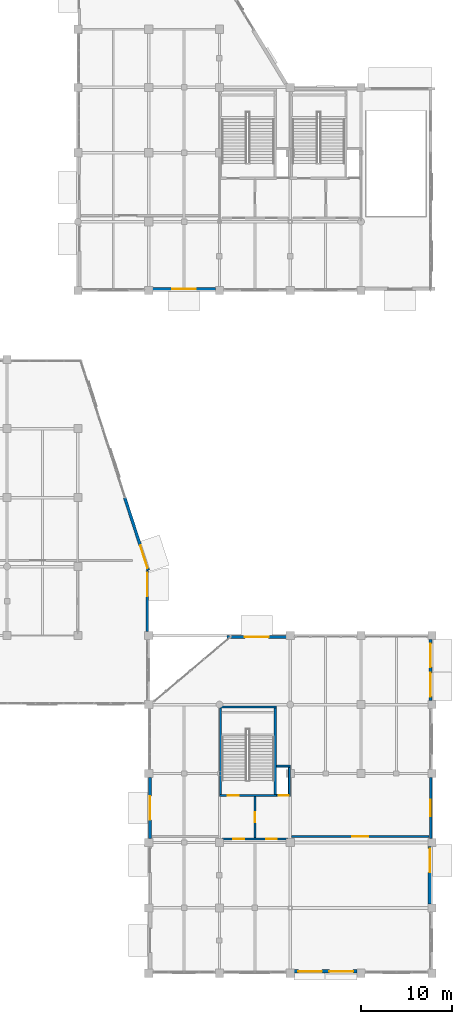
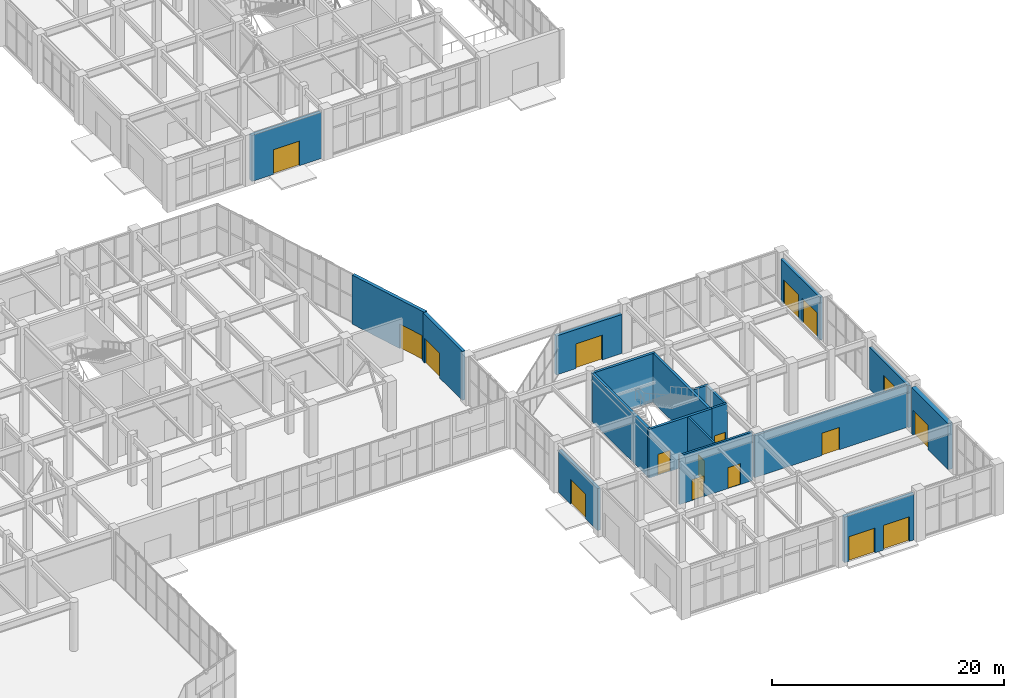
# One storey, part 125 of 139: 19 walls, 16 doors, 1 window, 17 openings.
"""IFC4 building model written with IfcOpenShell, lengths in metres."""

from ifc_helpers import new_model, si_unit, direction, frame, frame_2d, origin, place, context, subcontext, project, spatial, rectangle, extrude, material, layer, layer_set, type_object, element, fill, save


model = new_model("IFC4")

# Units and contexts
model_context = context("Model", 3, precision=1e-05, world=origin(), true_north=direction((0.0, 1.0)))
body_context = subcontext(model_context, "Body", "Model", "MODEL_VIEW")
ifc_project = project(units=[si_unit("LENGTHUNIT", "METRE"), si_unit("AREAUNIT", "SQUARE_METRE"), si_unit("VOLUMEUNIT", "CUBIC_METRE"), si_unit("PLANEANGLEUNIT", "RADIAN"), si_unit("MASSUNIT", "GRAM", prefix="KILO")], contexts=[model_context])

# Site, building, storey
site_placement = place(None, origin())
site = spatial("IfcSite", under=ifc_project, at=site_placement, CompositionType="ELEMENT")
building_placement = place(site_placement, origin())
building = spatial("IfcBuilding", under=site, at=building_placement, Name="Xicomal Pleat Aquarium", CompositionType="ELEMENT")
storey_placement = place(building_placement, origin())
storey = spatial("IfcBuildingStorey", under=building, at=storey_placement, Name="L01", CompositionType="ELEMENT", Elevation=0.0)

# Wall, opening, door
ifc_material_1 = material(Name="Concrete C40/50", Category="concrete")
ifc_layer_1 = layer(ifc_material_1, 0.219970703125)
ifc_layer_set_1 = layer_set([ifc_layer_1], Name="Concrete C40/50")
wall_type_1 = type_object("IfcWallType", Name="WAL-COR-220", PredefinedType="SHEAR", material=ifc_layer_set_1)
wall_1_placement = place(storey_placement, frame((147.89990234375, 20.389892578125, 0.0), z_axis=(0.0, 0.0, 1.0), x_axis=(1.0, 0.0, 0.0)))
wall_1 = element("IfcWall", 1, at=wall_1_placement, inside=storey, type_object=wall_type_1, Name="L01 LF-08 lift shaft wall CW-L01-C8-LS", PredefinedType="SHEAR", context=body_context, shape_type="SweptSolid", body=[
    extrude(rectangle(XDim=1.52001953125, YDim=0.219970703125, at=frame_2d((0.760009765625, 0.0))), origin(), (0.0, 0.0, 1.0), 5.1201171875),
])
opening_1_placement = place(wall_1_placement, frame((0.2099609375, 0.0, 0.0)))
opening_1 = element("IfcOpeningElement", 2, at=opening_1_placement, cuts=wall_1, Name="Opening LD-08-L01", PredefinedType="OPENING", context=body_context, shape_type="SweptSolid", body=[
    extrude(rectangle(XDim=1.10009765625, YDim=2.14990234375, at=frame_2d((0.550048828125, 1.074951171875))), frame((0.0, 0.119873046875, 0.0), z_axis=(0.0, -1.0, 0.0), x_axis=(1.0, 0.0, 0.0)), (0.0, 0.0, 1.0), 0.239990234375),
])
ifc_material_2 = material(Name="Brushed stainless steel 304", Category="steel")
door_type_1 = type_object("IfcDoorType", Name="DOR-LD-1100x2150", OperationType="DOUBLE_DOOR_SLIDING", PredefinedType="DOOR", material=ifc_material_2)
door_1_placement = place(opening_1_placement, origin())
door_1 = element("IfcDoor", 3, at=door_1_placement, inside=storey, type_object=door_type_1, Name="L01 LF-08 sliding lift landing door", OperationType="DOUBLE_DOOR_SLIDING", OverallHeight=2.14990234375, OverallWidth=1.10009765625, PredefinedType="DOOR", context=body_context, shape_type="SweptSolid", body=[
    extrude(rectangle(XDim=1.10009765625, YDim=2.14990234375, at=frame_2d((0.550048828125, 1.074951171875))), frame((0.0, 0.02490234375, 0.0), z_axis=(0.0, -1.0, 0.0), x_axis=(1.0, 0.0, 0.0)), (0.0, 0.0, 1.0), 0.050048828125),
])
fill(opening_1, door_1)

# Walls
wall_2_placement = place(storey_placement, frame((147.89990234375, 23.610107421875, 0.0), z_axis=(0.0, 0.0, 1.0), x_axis=(1.0, 0.0, 0.0)))
element("IfcWall", 4, at=wall_2_placement, inside=storey, type_object=wall_type_1, Name="L01 LF-08 lift shaft wall CW-L01-C8-LN", PredefinedType="SHEAR", context=body_context, shape_type="SweptSolid", body=[
    extrude(rectangle(XDim=1.52001953125, YDim=0.219970703125, at=frame_2d((0.760009765625, 0.0))), origin(), (0.0, 0.0, 1.0), 5.1201171875),
])
wall_3_placement = place(storey_placement, frame((149.31005859375, 20.5, 0.0), z_axis=(0.0, 0.0, 1.0), x_axis=(0.0, 1.0, 0.0)))
element("IfcWall", 5, at=wall_3_placement, inside=storey, type_object=wall_type_1, Name="L01 LF-08 lift shaft wall CW-L01-C8-LE", PredefinedType="SHEAR", context=body_context, shape_type="SweptSolid", body=[
    extrude(rectangle(XDim=3.0, YDim=0.219970703125, at=frame_2d((1.5, 0.0))), origin(), (0.0, 0.0, 1.0), 5.1201171875),
])

# Wall, opening, door
ifc_material_3 = material(Name="Concrete C40/50", Category="concrete")
ifc_layer_2 = layer(ifc_material_3, 0.25)
ifc_layer_set_2 = layer_set([ifc_layer_2], Name="Concrete C40/50")
wall_type_2 = type_object("IfcWallType", Name="WAL-COR-250", PredefinedType="SHEAR", material=ifc_layer_set_2)
wall_4_placement = place(storey_placement, frame((141.590087890625, 20.375, 0.0), z_axis=(0.0, 0.0, 1.0), x_axis=(1.0, 0.0, 0.0)))
wall_4 = element("IfcWall", 6, at=wall_4_placement, inside=storey, type_object=wall_type_2, Name="L01 CORE-8 stair shear wall CW-L01-C8-SS", PredefinedType="SHEAR", context=body_context, shape_type="SweptSolid", body=[
    extrude(rectangle(XDim=6.280029296875, YDim=0.25, at=frame_2d((3.14013671875, 0.0))), origin(), (0.0, 0.0, 1.0), 5.1201171875),
])
opening_2_placement = place(wall_4_placement, frame((0.89990234375, 0.0, 0.0)))
opening_2 = element("IfcOpeningElement", 7, at=opening_2_placement, cuts=wall_4, Name="Opening SD-08-L01", PredefinedType="OPENING", context=body_context, shape_type="SweptSolid", body=[
    extrude(rectangle(XDim=1.25, YDim=2.199951171875, at=frame_2d((0.625, 1.10009765625))), frame((0.0, 0.135009765625, 0.0), z_axis=(0.0, -1.0, 0.0), x_axis=(1.0, 0.0, 0.0)), (0.0, 0.0, 1.0), 0.27001953125),
])
ifc_material_4 = material(Name="Powder-coated steel fire door", Category="steel")
door_type_2 = type_object("IfcDoorType", Name="DOR-ST-1250x2200", OperationType="NOTDEFINED", PredefinedType="DOOR", material=ifc_material_4)
door_2_placement = place(opening_2_placement, origin())
door_2 = element("IfcDoor", 8, at=door_2_placement, inside=storey, type_object=door_type_2, Name="L01 ST-08 protected stair door", OperationType="SINGLE_SWING_RIGHT", OverallHeight=2.199951171875, OverallWidth=1.25, PredefinedType="DOOR", context=body_context, shape_type="SweptSolid", body=[
    extrude(rectangle(XDim=1.25, YDim=2.199951171875, at=frame_2d((0.625, 1.10009765625))), frame((0.0, 0.02490234375, 0.0), z_axis=(0.0, -1.0, 0.0), x_axis=(1.0, 0.0, 0.0)), (0.0, 0.0, 1.0), 0.050048828125),
])
fill(opening_2, door_2)

# Walls
wall_5_placement = place(storey_placement, frame((141.590087890625, 30.125, 0.0), z_axis=(0.0, 0.0, 1.0), x_axis=(1.0, 0.0, 0.0)))
element("IfcWall", 9, at=wall_5_placement, inside=storey, type_object=wall_type_2, Name="L01 CORE-8 stair shear wall CW-L01-C8-SN", PredefinedType="SHEAR", context=body_context, shape_type="SweptSolid", body=[
    extrude(rectangle(XDim=6.280029296875, YDim=0.25, at=frame_2d((3.14013671875, 0.0))), origin(), (0.0, 0.0, 1.0), 5.1201171875),
])
for number, where, z_axis, x_axis, name in (
    (10, (141.715087890625, 20.5, 0.0), (0.0, 0.0, 1.0), (0.0, 1.0, 0.0), "L01 CORE-8 stair shear wall CW-L01-C8-SW"),
    (11, (147.7451171875, 20.5, 0.0), (0.0, 0.0, 1.0), (0.0, 1.0, 0.0), "L01 CORE-8 stair shear wall CW-L01-C8-SE"),
):
    element("IfcWall", number, at=place(storey_placement, frame(where, z_axis=z_axis, x_axis=x_axis)), inside=storey, type_object=wall_type_2, Name=name, PredefinedType="SHEAR", context=body_context, shape_type="SweptSolid", body=[
        extrude(rectangle(XDim=9.5, YDim=0.25, at=frame_2d((4.75, 0.0))), origin(), (0.0, 0.0, 1.0), 5.1201171875),
    ])

# Wall, opening, door
ifc_material_5 = material(Name="Volcanic basalt recinto masonry and concrete C40/50", Category="masonry")
ifc_layer_3 = layer(ifc_material_5, 0.35009765625)
ifc_layer_set_3 = layer_set([ifc_layer_3], Name="Volcanic basalt recinto masonry and concrete C40/50")
wall_type_3 = type_object("IfcWallType", Name="WAL-EXT-BAS-350", PredefinedType="SOLIDWALL", material=ifc_layer_set_3)
wall_6_placement = place(storey_placement, frame((141.1650390625, 76.175048828125, 0.0), z_axis=(0.0, 0.0, 1.0), x_axis=(-1.0, 0.0, 0.0)))
wall_6 = element("IfcWall", 12, at=wall_6_placement, inside=storey, type_object=wall_type_3, Name="L01 exterior basalt-precast wall EW-L01-108", PredefinedType="SOLIDWALL", context=body_context, shape_type="SweptSolid", body=[
    extrude(rectangle(XDim=6.929931640625, YDim=0.35009765625, at=frame_2d((3.46484375, 0.0))), origin(), (0.0, 0.0, 1.0), 4.844970703125),
])
opening_3_placement = place(wall_6_placement, frame((2.1650390625, 0.0, 0.0)))
opening_3 = element("IfcOpeningElement", 13, at=opening_3_placement, cuts=wall_6, Name="Opening EX-24", PredefinedType="OPENING", context=body_context, shape_type="SweptSolid", body=[
    extrude(rectangle(XDim=2.60009765625, YDim=2.60009765625, at=frame_2d((1.300048828125, 1.300048828125))), frame((0.0, 0.18505859375, 0.0), z_axis=(0.0, -1.0, 0.0), x_axis=(1.0, 0.0, 0.0)), (0.0, 0.0, 1.0), 0.3701171875),
])
ifc_material_6 = material(Name="Bronze anodized aluminium and laminated safety glass", Category="aluminium")
door_type_3 = type_object("IfcDoorType", Name="DOR-EX-2600x2600", OperationType="DOUBLE_DOOR_SINGLE_SWING", PredefinedType="DOOR", material=ifc_material_6)
door_3_placement = place(opening_3_placement, origin())
door_3 = element("IfcDoor", 14, at=door_3_placement, inside=storey, type_object=door_type_3, Name="Ground floor pedestrian final exit door EX-24", OperationType="DOUBLE_DOOR_SINGLE_SWING", OverallHeight=2.60009765625, OverallWidth=2.60009765625, PredefinedType="DOOR", context=body_context, shape_type="SweptSolid", body=[
    extrude(rectangle(XDim=2.60009765625, YDim=2.60009765625, at=frame_2d((1.300048828125, 1.300048828125))), frame((0.0, 0.02490234375, 0.0), z_axis=(0.0, -1.0, 0.0), x_axis=(1.0, 0.0, 0.0)), (0.0, 0.0, 1.0), 0.050048828125),
])
fill(opening_3, door_3)

# Wall, openings, doors
ifc_material_7 = material(Name="Volcanic basalt recinto masonry and concrete C40/50", Category="masonry")
ifc_layer_4 = layer(ifc_material_7, 0.3798828125)
ifc_layer_set_4 = layer_set([ifc_layer_4], Name="Volcanic basalt recinto masonry and concrete C40/50")
wall_type_4 = type_object("IfcWallType", Name="WAL-EXT-BAS-380", PredefinedType="SOLIDWALL", material=ifc_layer_set_4)
wall_7_placement = place(storey_placement, frame((156.764892578125, 0.989990234375, 0.0), z_axis=(0.0, 0.0, 1.0), x_axis=(-1.0, 0.0, 0.0)))
wall_7 = element("IfcWall", 15, at=wall_7_placement, inside=storey, type_object=wall_type_4, Name="L01 exterior basalt-precast wall EW-L01-093", PredefinedType="SOLIDWALL", context=body_context, shape_type="SweptSolid", body=[
    extrude(rectangle(XDim=6.929931640625, YDim=0.3798828125, at=frame_2d((3.46484375, 0.0))), origin(), (0.0, 0.0, 1.0), 4.81494140625),
])
opening_4_placement = place(wall_7_placement, frame((0.449951171875, 0.0, 0.0)))
opening_4 = element("IfcOpeningElement", 16, at=opening_4_placement, cuts=wall_7, Name="Opening EX-12", PredefinedType="OPENING", context=body_context, shape_type="SweptSolid", body=[
    extrude(rectangle(XDim=2.60009765625, YDim=2.60009765625, at=frame_2d((1.300048828125, 1.300048828125))), frame((0.0, 0.199951171875, 0.0), z_axis=(0.0, -1.0, 0.0), x_axis=(1.0, 0.0, 0.0)), (0.0, 0.0, 1.0), 0.39990234375),
])
opening_5_placement = place(wall_7_placement, frame((3.8798828125, 0.0, 0.0)))
opening_5 = element("IfcOpeningElement", 17, at=opening_5_placement, cuts=wall_7, Name="Opening EX-13", PredefinedType="OPENING", context=body_context, shape_type="SweptSolid", body=[
    extrude(rectangle(XDim=2.60009765625, YDim=2.60009765625, at=frame_2d((1.300048828125, 1.300048828125))), frame((0.0, 0.199951171875, 0.0), z_axis=(0.0, -1.0, 0.0), x_axis=(1.0, 0.0, 0.0)), (0.0, 0.0, 1.0), 0.39990234375),
])
door_4_placement = place(opening_4_placement, origin())
door_4 = element("IfcDoor", 18, at=door_4_placement, inside=storey, type_object=door_type_3, Name="Ground floor pedestrian final exit door EX-12", OperationType="DOUBLE_DOOR_SINGLE_SWING", OverallHeight=2.60009765625, OverallWidth=2.60009765625, PredefinedType="DOOR", context=body_context, shape_type="SweptSolid", body=[
    extrude(rectangle(XDim=2.60009765625, YDim=2.60009765625, at=frame_2d((1.300048828125, 1.300048828125))), frame((0.0, 0.02490234375, 0.0), z_axis=(0.0, -1.0, 0.0), x_axis=(1.0, 0.0, 0.0)), (0.0, 0.0, 1.0), 0.050048828125),
])
fill(opening_4, door_4)
door_5_placement = place(opening_5_placement, origin())
door_5 = element("IfcDoor", 19, at=door_5_placement, inside=storey, type_object=door_type_3, Name="Ground floor pedestrian final exit door EX-13", OperationType="DOUBLE_DOOR_SINGLE_SWING", OverallHeight=2.60009765625, OverallWidth=2.60009765625, PredefinedType="DOOR", context=body_context, shape_type="SweptSolid", body=[
    extrude(rectangle(XDim=2.60009765625, YDim=2.60009765625, at=frame_2d((1.300048828125, 1.300048828125))), frame((0.0, 0.02490234375, 0.0), z_axis=(0.0, -1.0, 0.0), x_axis=(1.0, 0.0, 0.0)), (0.0, 0.0, 1.0), 0.050048828125),
])
fill(opening_5, door_5)

# Wall, opening, door
ifc_material_8 = material(Name="Volcanic basalt recinto masonry and concrete C40/50", Category="masonry")
ifc_layer_5 = layer(ifc_material_8, 0.445068359375)
ifc_layer_set_5 = layer_set([ifc_layer_5], Name="Volcanic basalt recinto masonry and concrete C40/50")
wall_type_5 = type_object("IfcWallType", Name="WAL-EXT-BAS-445", PredefinedType="SOLIDWALL", material=ifc_layer_set_5)
wall_8_placement = place(storey_placement, frame((164.778076171875, 14.764892578125, 0.0), z_axis=(0.0, 0.0, 1.0), x_axis=(0.0, -1.0, 0.0)))
wall_8 = element("IfcWall", 20, at=wall_8_placement, inside=storey, type_object=wall_type_5, Name="L01 exterior basalt-precast wall EW-L01-090", PredefinedType="SOLIDWALL", context=body_context, shape_type="SweptSolid", body=[
    extrude(rectangle(XDim=6.329833984375, YDim=0.445068359375, at=frame_2d((3.1650390625, 0.0))), origin(), (0.0, 0.0, 1.0), 4.864990234375),
])
opening_6_placement = place(wall_8_placement, frame((0.25, 0.0, 0.0)))
opening_6 = element("IfcOpeningElement", 21, at=opening_6_placement, cuts=wall_8, Name="Opening EX-04", PredefinedType="OPENING", context=body_context, shape_type="SweptSolid", body=[
    extrude(rectangle(XDim=2.60009765625, YDim=2.60009765625, at=frame_2d((1.300048828125, 1.300048828125))), frame((0.0, 0.232421875, 0.0), z_axis=(0.0, -1.0, 0.0), x_axis=(1.0, 0.0, 0.0)), (0.0, 0.0, 1.0), 0.465087890625),
])
door_6_placement = place(opening_6_placement, origin())
door_6 = element("IfcDoor", 22, at=door_6_placement, inside=storey, type_object=door_type_3, Name="Ground floor pedestrian final exit door EX-04", OperationType="DOUBLE_DOOR_SINGLE_SWING", OverallHeight=2.60009765625, OverallWidth=2.60009765625, PredefinedType="DOOR", context=body_context, shape_type="SweptSolid", body=[
    extrude(rectangle(XDim=2.60009765625, YDim=2.60009765625, at=frame_2d((1.300048828125, 1.300048828125))), frame((0.0, 0.02490234375, 0.0), z_axis=(0.0, -1.0, 0.0), x_axis=(1.0, 0.0, 0.0)), (0.0, 0.0, 1.0), 0.050048828125),
])
fill(opening_6, door_6)

# Wall, opening, window
ifc_material_9 = material(Name="Precast concrete C40/50", Category="concrete")
ifc_layer_6 = layer(ifc_material_9, 0.260009765625)
ifc_layer_set_6 = layer_set([ifc_layer_6], Name="Precast concrete C40/50")
wall_type_6 = type_object("IfcWallType", Name="WAL-EXT-PRC-260", PredefinedType="SOLIDWALL", material=ifc_layer_set_6)
wall_9_placement = place(storey_placement, frame((164.8701171875, 22.364990234375, 0.0), z_axis=(0.0, 0.0, 1.0), x_axis=(0.0, -1.0, 0.0)))
wall_9 = element("IfcWall", 23, at=wall_9_placement, inside=storey, type_object=wall_type_6, Name="L01 exterior basalt-precast wall EW-L01-089", PredefinedType="SOLIDWALL", context=body_context, shape_type="SweptSolid", body=[
    extrude(rectangle(XDim=6.72998046875, YDim=0.260009765625, at=frame_2d((3.364990234375, 0.0))), origin(), (0.0, 0.0, 1.0), 4.422119140625),
])
opening_7_placement = place(wall_9_placement, frame((2.465087890625, 0.0, 0.949951171875)))
opening_7 = element("IfcOpeningElement", 24, at=opening_7_placement, cuts=wall_9, Name="Opening WN-03", PredefinedType="OPENING", context=body_context, shape_type="SweptSolid", body=[
    extrude(rectangle(XDim=1.800048828125, YDim=2.0, at=frame_2d((0.89990234375, 1.0))), frame((0.0, 0.139892578125, 0.0), z_axis=(0.0, -1.0, 0.0), x_axis=(1.0, 0.0, 0.0)), (0.0, 0.0, 1.0), 0.280029296875),
])
ifc_material_10 = material(Name="Insulated low-E laminated glass", Category="glass")
window_type = type_object("IfcWindowType", Name="WIN-EXT-1800x2000", PartitioningType="DOUBLE_PANEL_VERTICAL", PredefinedType="WINDOW", material=ifc_material_10)
window_placement = place(opening_7_placement, origin())
window = element("IfcWindow", 25, at=window_placement, inside=storey, type_object=window_type, Name="L01 thermally broken low-E window 1", OverallHeight=2.0, OverallWidth=1.800048828125, PartitioningType="SINGLE_PANEL", PredefinedType="WINDOW", context=body_context, shape_type="SweptSolid", body=[
    extrude(rectangle(XDim=1.800048828125, YDim=2.0, at=frame_2d((0.89990234375, 1.0))), frame((0.0, 0.030029296875, 0.0), z_axis=(0.0, -1.0, 0.0), x_axis=(1.0, 0.0, 0.0)), (0.0, 0.0, 1.0), 0.06005859375),
])
fill(opening_7, window)

# Wall, openings, doors
ifc_material_11 = material(Name="Precast concrete C40/50", Category="concrete")
ifc_layer_7 = layer(ifc_material_11, 0.2900390625)
ifc_layer_set_7 = layer_set([ifc_layer_7], Name="Precast concrete C40/50")
wall_type_7 = type_object("IfcWallType", Name="WAL-EXT-PRC-290", PredefinedType="SOLIDWALL", material=ifc_layer_set_7)
wall_10_placement = place(storey_placement, frame((164.85498046875, 37.56494140625, 0.0), z_axis=(0.0, 0.0, 1.0), x_axis=(0.0, -1.0, 0.0)))
wall_10 = element("IfcWall", 26, at=wall_10_placement, inside=storey, type_object=wall_type_7, Name="L01 exterior basalt-precast wall EW-L01-087", PredefinedType="SOLIDWALL", context=body_context, shape_type="SweptSolid", body=[
    extrude(rectangle(XDim=6.72998046875, YDim=0.2900390625, at=frame_2d((3.364990234375, 0.0))), origin(), (0.0, 0.0, 1.0), 4.501953125),
])
opening_8_placement = place(wall_10_placement, frame((0.449951171875, 0.0, 0.0)))
opening_8 = element("IfcOpeningElement", 27, at=opening_8_placement, cuts=wall_10, Name="Opening EX-14", PredefinedType="OPENING", context=body_context, shape_type="SweptSolid", body=[
    extrude(rectangle(XDim=2.60009765625, YDim=2.60009765625, at=frame_2d((1.300048828125, 1.300048828125))), frame((0.0, 0.155029296875, 0.0), z_axis=(0.0, -1.0, 0.0), x_axis=(1.0, 0.0, 0.0)), (0.0, 0.0, 1.0), 0.31005859375),
])
opening_9_placement = place(wall_10_placement, frame((3.679931640625, 0.0, 0.0)))
opening_9 = element("IfcOpeningElement", 28, at=opening_9_placement, cuts=wall_10, Name="Opening EX-15", PredefinedType="OPENING", context=body_context, shape_type="SweptSolid", body=[
    extrude(rectangle(XDim=2.60009765625, YDim=2.60009765625, at=frame_2d((1.300048828125, 1.300048828125))), frame((0.0, 0.155029296875, 0.0), z_axis=(0.0, -1.0, 0.0), x_axis=(1.0, 0.0, 0.0)), (0.0, 0.0, 1.0), 0.31005859375),
])
door_7_placement = place(opening_8_placement, origin())
door_7 = element("IfcDoor", 29, at=door_7_placement, inside=storey, type_object=door_type_3, Name="Ground floor pedestrian final exit door EX-14", OperationType="DOUBLE_DOOR_SINGLE_SWING", OverallHeight=2.60009765625, OverallWidth=2.60009765625, PredefinedType="DOOR", context=body_context, shape_type="SweptSolid", body=[
    extrude(rectangle(XDim=2.60009765625, YDim=2.60009765625, at=frame_2d((1.300048828125, 1.300048828125))), frame((0.0, 0.02490234375, 0.0), z_axis=(0.0, -1.0, 0.0), x_axis=(1.0, 0.0, 0.0)), (0.0, 0.0, 1.0), 0.050048828125),
])
fill(opening_8, door_7)
door_8_placement = place(opening_9_placement, origin())
door_8 = element("IfcDoor", 30, at=door_8_placement, inside=storey, type_object=door_type_3, Name="Ground floor pedestrian final exit door EX-15", OperationType="DOUBLE_DOOR_SINGLE_SWING", OverallHeight=2.60009765625, OverallWidth=2.60009765625, PredefinedType="DOOR", context=body_context, shape_type="SweptSolid", body=[
    extrude(rectangle(XDim=2.60009765625, YDim=2.60009765625, at=frame_2d((1.300048828125, 1.300048828125))), frame((0.0, 0.02490234375, 0.0), z_axis=(0.0, -1.0, 0.0), x_axis=(1.0, 0.0, 0.0)), (0.0, 0.0, 1.0), 0.050048828125),
])
fill(opening_9, door_8)

# Wall, opening, door
ifc_material_12 = material(Name="Precast concrete C40/50", Category="concrete")
ifc_layer_8 = layer(ifc_material_12, 0.31201171875)
ifc_layer_set_8 = layer_set([ifc_layer_8], Name="Precast concrete C40/50")
wall_type_8 = type_object("IfcWallType", Name="WAL-EXT-PRC-312", PredefinedType="SOLIDWALL", material=ifc_layer_set_8)
wall_11_placement = place(storey_placement, frame((133.64404296875, 45.169921875, 0.0), z_axis=(0.0, 0.0, 1.0), x_axis=(0.0, -1.0, 0.0)))
wall_11 = element("IfcWall", 31, at=wall_11_placement, inside=storey, type_object=wall_type_8, Name="L01 exterior basalt-precast wall EW-L01-072", PredefinedType="SOLIDWALL", context=body_context, shape_type="SweptSolid", body=[
    extrude(rectangle(XDim=6.73486328125, YDim=0.31201171875, at=frame_2d((3.367431640625, 0.0))), origin(), (0.0, 0.0, 1.0), 5.159912109375),
])
opening_10_placement = place(wall_11_placement, frame((0.25, 0.0, 0.0)))
opening_10 = element("IfcOpeningElement", 32, at=opening_10_placement, cuts=wall_11, Name="Opening EX-07", PredefinedType="OPENING", context=body_context, shape_type="SweptSolid", body=[
    extrude(rectangle(XDim=2.60009765625, YDim=2.60009765625, at=frame_2d((1.300048828125, 1.300048828125))), frame((0.0, 0.166015625, 0.0), z_axis=(0.0, -1.0, 0.0), x_axis=(1.0, 0.0, 0.0)), (0.0, 0.0, 1.0), 0.33203125),
])
door_9_placement = place(opening_10_placement, origin())
door_9 = element("IfcDoor", 33, at=door_9_placement, inside=storey, type_object=door_type_3, Name="Ground floor pedestrian final exit door EX-07", OperationType="DOUBLE_DOOR_SINGLE_SWING", OverallHeight=2.60009765625, OverallWidth=2.60009765625, PredefinedType="DOOR", context=body_context, shape_type="SweptSolid", body=[
    extrude(rectangle(XDim=2.60009765625, YDim=2.60009765625, at=frame_2d((1.300048828125, 1.300048828125))), frame((0.0, 0.02490234375, 0.0), z_axis=(0.0, -1.0, 0.0), x_axis=(1.0, 0.0, 0.0)), (0.0, 0.0, 1.0), 0.050048828125),
])
fill(opening_10, door_9)

wall_12_placement = place(storey_placement, frame((133.9560546875, 15.635009765625, 0.0), z_axis=(0.0, 0.0, 1.0), x_axis=(0.0, 1.0, 0.0)))
wall_12 = element("IfcWall", 34, at=wall_12_placement, inside=storey, type_object=wall_type_8, Name="L01 exterior basalt-precast wall EW-L01-098", PredefinedType="SOLIDWALL", context=body_context, shape_type="SweptSolid", body=[
    extrude(rectangle(XDim=6.72998046875, YDim=0.31201171875, at=frame_2d((3.364990234375, 0.0))), origin(), (0.0, 0.0, 1.0), 4.422119140625),
])
opening_11_placement = place(wall_12_placement, frame((2.06494140625, 0.0, 0.0)))
opening_11 = element("IfcOpeningElement", 35, at=opening_11_placement, cuts=wall_12, Name="Opening EX-26", PredefinedType="OPENING", context=body_context, shape_type="SweptSolid", body=[
    extrude(rectangle(XDim=2.60009765625, YDim=2.60009765625, at=frame_2d((1.300048828125, 1.300048828125))), frame((0.0, 0.166015625, 0.0), z_axis=(0.0, -1.0, 0.0), x_axis=(1.0, 0.0, 0.0)), (0.0, 0.0, 1.0), 0.33203125),
])
door_10_placement = place(opening_11_placement, origin())
door_10 = element("IfcDoor", 36, at=door_10_placement, inside=storey, type_object=door_type_3, Name="Ground floor pedestrian final exit door EX-26", OperationType="DOUBLE_DOOR_SINGLE_SWING", OverallHeight=2.60009765625, OverallWidth=2.60009765625, PredefinedType="DOOR", context=body_context, shape_type="SweptSolid", body=[
    extrude(rectangle(XDim=2.60009765625, YDim=2.60009765625, at=frame_2d((1.300048828125, 1.300048828125))), frame((0.0, 0.02490234375, 0.0), z_axis=(0.0, -1.0, 0.0), x_axis=(1.0, 0.0, 0.0)), (0.0, 0.0, 1.0), 0.050048828125),
])
fill(opening_11, door_10)

ifc_material_13 = material(Name="Precast concrete C40/50", Category="concrete")
ifc_layer_9 = layer(ifc_material_13, 0.324951171875)
ifc_layer_set_9 = layer_set([ifc_layer_9], Name="Precast concrete C40/50")
wall_type_9 = type_object("IfcWallType", Name="WAL-EXT-PRC-325", PredefinedType="SOLIDWALL", material=ifc_layer_set_9)
wall_13_placement = place(storey_placement, frame((131.172119140625, 53.1689453125, 0.0), z_axis=(0.0, 0.0, 1.0), x_axis=(0.308798530346, -0.951127471823, 0.0)))
wall_13 = element("IfcWall", 37, at=wall_13_placement, inside=storey, type_object=wall_type_9, Name="L01 exterior basalt-precast wall EW-L01-071", PredefinedType="SOLIDWALL", context=body_context, shape_type="SweptSolid", body=[
    extrude(rectangle(XDim=8.37109375, YDim=0.324951171875, at=frame_2d((4.185546875, 0.0))), origin(), (0.0, 0.0, 1.0), 5.159912109375),
])
opening_12_placement = place(wall_13_placement, frame((5.52099609375, 0.0, 0.0)))
opening_12 = element("IfcOpeningElement", 38, at=opening_12_placement, cuts=wall_13, Name="Opening EX-05", PredefinedType="OPENING", context=body_context, shape_type="SweptSolid", body=[
    extrude(rectangle(XDim=2.60009765625, YDim=2.60009765625, at=frame_2d((1.300048828125, 1.300048828125))), frame((0.0, 0.17236328125, 0.0), z_axis=(0.0, -1.0, 0.0), x_axis=(1.0, 0.0, 0.0)), (0.0, 0.0, 1.0), 0.344970703125),
])
door_11_placement = place(opening_12_placement, origin())
door_11 = element("IfcDoor", 39, at=door_11_placement, inside=storey, type_object=door_type_3, Name="Ground floor pedestrian final exit door EX-05", OperationType="DOUBLE_DOOR_SINGLE_SWING", OverallHeight=2.60009765625, OverallWidth=2.60009765625, PredefinedType="DOOR", context=body_context, shape_type="SweptSolid", body=[
    extrude(rectangle(XDim=2.60009765625, YDim=2.60009765625, at=frame_2d((1.300048828125, 1.300048828125))), frame((0.0, 0.02490234375, 0.0), z_axis=(0.0, -1.0, 0.0), x_axis=(1.0, 0.0, 0.0)), (0.0, 0.0, 1.0), 0.050048828125),
])
fill(opening_12, door_11)

wall_14_placement = place(storey_placement, frame((142.43994140625, 37.8369140625, 0.0), z_axis=(0.0, 0.0, 1.0), x_axis=(1.0, 0.0, 0.0)))
wall_14 = element("IfcWall", 40, at=wall_14_placement, inside=storey, type_object=wall_type_9, Name="L01 exterior basalt-precast wall EW-L01-084", PredefinedType="SOLIDWALL", context=body_context, shape_type="SweptSolid", body=[
    extrude(rectangle(XDim=6.525146484375, YDim=0.324951171875, at=frame_2d((3.2626953125, 0.0))), origin(), (0.0, 0.0, 1.0), 4.10693359375),
])
opening_13_placement = place(wall_14_placement, frame((1.962890625, 0.0, 0.0)))
opening_13 = element("IfcOpeningElement", 41, at=opening_13_placement, cuts=wall_14, Name="Opening EX-27", PredefinedType="OPENING", context=body_context, shape_type="SweptSolid", body=[
    extrude(rectangle(XDim=2.60009765625, YDim=2.60009765625, at=frame_2d((1.300048828125, 1.300048828125))), frame((0.0, 0.17236328125, 0.0), z_axis=(0.0, -1.0, 0.0), x_axis=(1.0, 0.0, 0.0)), (0.0, 0.0, 1.0), 0.344970703125),
])
door_12_placement = place(opening_13_placement, origin())
door_12 = element("IfcDoor", 42, at=door_12_placement, inside=storey, type_object=door_type_3, Name="Ground floor pedestrian final exit door EX-27", OperationType="DOUBLE_DOOR_SINGLE_SWING", OverallHeight=2.60009765625, OverallWidth=2.60009765625, PredefinedType="DOOR", context=body_context, shape_type="SweptSolid", body=[
    extrude(rectangle(XDim=2.60009765625, YDim=2.60009765625, at=frame_2d((1.300048828125, 1.300048828125))), frame((0.0, 0.02490234375, 0.0), z_axis=(0.0, -1.0, 0.0), x_axis=(1.0, 0.0, 0.0)), (0.0, 0.0, 1.0), 0.050048828125),
])
fill(opening_13, door_12)

ifc_material_14 = material(Name="Acoustic double-stud drywall partition", Category="gypsum")
ifc_layer_10 = layer(ifc_material_14, 0.195068359375)
ifc_layer_set_10 = layer_set([ifc_layer_10], Name="Acoustic double-stud drywall partition")
wall_type_10 = type_object("IfcWallType", Name="WAL-PRT-195", PredefinedType="PARTITIONING", material=ifc_layer_set_10)
wall_15_placement = place(storey_placement, frame((145.52490234375, 15.75, 0.0), z_axis=(0.0, 0.0, 1.0), x_axis=(0.0, 1.0, 0.0)))
wall_15 = element("IfcWall", 43, at=wall_15_placement, inside=storey, type_object=wall_type_10, Name="L01 firefighting lobby smoke divider 8", PredefinedType="PARTITIONING", context=body_context, shape_type="SweptSolid", body=[
    extrude(rectangle(XDim=4.5, YDim=0.195068359375, at=frame_2d((2.25, 0.0))), origin(), (0.0, 0.0, 1.0), 5.1201171875),
])
opening_14_placement = place(wall_15_placement, frame((1.699951171875, 0.0, 0.0)))
opening_14 = element("IfcOpeningElement", 44, at=opening_14_placement, cuts=wall_15, Name="Opening FD-08C-L01", PredefinedType="OPENING", context=body_context, shape_type="SweptSolid", body=[
    extrude(rectangle(XDim=1.10009765625, YDim=2.14990234375, at=frame_2d((0.550048828125, 1.074951171875))), frame((0.0, 0.107421875, 0.0), z_axis=(0.0, -1.0, 0.0), x_axis=(1.0, 0.0, 0.0)), (0.0, 0.0, 1.0), 0.215087890625),
])
ifc_material_15 = material(Name="Powder-coated steel fire door", Category="steel")
door_type_4 = type_object("IfcDoorType", Name="DOR-LAB-1100x2150", OperationType="NOTDEFINED", PredefinedType="DOOR", material=ifc_material_15)
door_13_placement = place(opening_14_placement, origin())
door_13 = element("IfcDoor", 45, at=door_13_placement, inside=storey, type_object=door_type_4, Name="L01 lobby interconnecting fire door 8C", OperationType="SINGLE_SWING_LEFT", OverallHeight=2.14990234375, OverallWidth=1.10009765625, PredefinedType="DOOR", context=body_context, shape_type="SweptSolid", body=[
    extrude(rectangle(XDim=1.10009765625, YDim=2.14990234375, at=frame_2d((0.550048828125, 1.074951171875))), frame((0.0, 0.02490234375, 0.0), z_axis=(0.0, -1.0, 0.0), x_axis=(1.0, 0.0, 0.0)), (0.0, 0.0, 1.0), 0.050048828125),
])
fill(opening_14, door_13)

# Wall, openings, doors
ifc_material_16 = material(Name="Fire-rated gypsum and mineral-wool partition", Category="gypsum")
ifc_layer_11 = layer(ifc_material_16, 0.2099609375)
ifc_layer_set_11 = layer_set([ifc_layer_11], Name="Fire-rated gypsum and mineral-wool partition")
wall_type_11 = type_object("IfcWallType", Name="WAL-PRT-210", PredefinedType="PARTITIONING", material=ifc_layer_set_11)
wall_16_placement = place(storey_placement, frame((141.89990234375, 15.60009765625, 0.0), z_axis=(0.0, 0.0, 1.0), x_axis=(1.0, 0.0, 0.0)))
wall_16 = element("IfcWall", 46, at=wall_16_placement, inside=storey, type_object=wall_type_11, Name="L01 CORE-8 lobby fire enclosure wall", PredefinedType="PARTITIONING", context=body_context, shape_type="SweptSolid", body=[
    extrude(rectangle(XDim=7.25, YDim=0.2099609375, at=frame_2d((3.625, 0.0))), origin(), (0.0, 0.0, 1.0), 5.1201171875),
])
opening_15_placement = place(wall_16_placement, frame((1.2119140625, 0.0, 0.0)))
opening_15 = element("IfcOpeningElement", 47, at=opening_15_placement, cuts=wall_16, Name="Opening FD-08A-L01", PredefinedType="OPENING", context=body_context, shape_type="SweptSolid", body=[
    extrude(rectangle(XDim=1.199951171875, YDim=2.199951171875, at=frame_2d((0.60009765625, 1.10009765625))), frame((0.0, 0.114990234375, 0.0), z_axis=(0.0, -1.0, 0.0), x_axis=(1.0, 0.0, 0.0)), (0.0, 0.0, 1.0), 0.22998046875),
])
opening_16_placement = place(wall_16_placement, frame((4.837890625, 0.0, 0.0)))
opening_16 = element("IfcOpeningElement", 48, at=opening_16_placement, cuts=wall_16, Name="Opening FD-08B-L01", PredefinedType="OPENING", context=body_context, shape_type="SweptSolid", body=[
    extrude(rectangle(XDim=1.199951171875, YDim=2.199951171875, at=frame_2d((0.60009765625, 1.10009765625))), frame((0.0, 0.114990234375, 0.0), z_axis=(0.0, -1.0, 0.0), x_axis=(1.0, 0.0, 0.0)), (0.0, 0.0, 1.0), 0.22998046875),
])
ifc_material_17 = material(Name="Powder-coated steel fire door", Category="steel")
door_type_5 = type_object("IfcDoorType", Name="DOR-FFL-1200x2200", OperationType="NOTDEFINED", PredefinedType="DOOR", material=ifc_material_17)
door_14_placement = place(opening_15_placement, origin())
door_14 = element("IfcDoor", 49, at=door_14_placement, inside=storey, type_object=door_type_5, Name="L01 firefighting lobby door 8A", OperationType="SINGLE_SWING_LEFT", OverallHeight=2.199951171875, OverallWidth=1.199951171875, PredefinedType="DOOR", context=body_context, shape_type="SweptSolid", body=[
    extrude(rectangle(XDim=1.199951171875, YDim=2.199951171875, at=frame_2d((0.60009765625, 1.10009765625))), frame((0.0, 0.02490234375, 0.0), z_axis=(0.0, -1.0, 0.0), x_axis=(1.0, 0.0, 0.0)), (0.0, 0.0, 1.0), 0.050048828125),
])
fill(opening_15, door_14)
door_15_placement = place(opening_16_placement, origin())
door_15 = element("IfcDoor", 50, at=door_15_placement, inside=storey, type_object=door_type_5, Name="L01 lift lobby door 8B", OperationType="SINGLE_SWING_RIGHT", OverallHeight=2.199951171875, OverallWidth=1.199951171875, PredefinedType="DOOR", context=body_context, shape_type="SweptSolid", body=[
    extrude(rectangle(XDim=1.199951171875, YDim=2.199951171875, at=frame_2d((0.60009765625, 1.10009765625))), frame((0.0, 0.02490234375, 0.0), z_axis=(0.0, -1.0, 0.0), x_axis=(1.0, 0.0, 0.0)), (0.0, 0.0, 1.0), 0.050048828125),
])
fill(opening_16, door_15)

# Wall, opening, door
ifc_material_18 = material(Name="Fire-rated gypsum and mineral-wool partition", Category="gypsum")
ifc_layer_12 = layer(ifc_material_18, 0.239990234375)
ifc_layer_set_12 = layer_set([ifc_layer_12], Name="Fire-rated gypsum and mineral-wool partition")
wall_type_12 = type_object("IfcWallType", Name="WAL-PRT-240", PredefinedType="PARTITIONING", material=ifc_layer_set_12)
wall_17_placement = place(storey_placement, frame((149.510009765625, 15.8701171875, 0.0), z_axis=(0.0, 0.0, 1.0), x_axis=(1.0, 0.0, 0.0)))
wall_17 = element("IfcWall", 51, at=wall_17_placement, inside=storey, type_object=wall_type_12, Name="L01 interior partition PT-L01-033", PredefinedType="PARTITIONING", context=body_context, shape_type="SweptSolid", body=[
    extrude(rectangle(XDim=15.169921875, YDim=0.239990234375, at=frame_2d((7.5849609375, 0.0))), origin(), (0.0, 0.0, 1.0), 4.422119140625),
])
opening_17_placement = place(wall_17_placement, frame((6.7099609375, 0.0, 0.0)))
opening_17 = element("IfcOpeningElement", 52, at=opening_17_placement, cuts=wall_17, Name="Opening DR-L01-017", PredefinedType="OPENING", context=body_context, shape_type="SweptSolid", body=[
    extrude(rectangle(XDim=1.75, YDim=2.35009765625, at=frame_2d((0.875, 1.175048828125))), frame((0.0, 0.1298828125, 0.0), z_axis=(0.0, -1.0, 0.0), x_axis=(1.0, 0.0, 0.0)), (0.0, 0.0, 1.0), 0.260009765625),
])
ifc_material_19 = material(Name="Powder-coated steel fire door", Category="steel")
door_type_6 = type_object("IfcDoorType", Name="DOR-INT-1750x2350", OperationType="DOUBLE_DOOR_SINGLE_SWING", PredefinedType="DOOR", material=ifc_material_19)
door_16_placement = place(opening_17_placement, origin())
door_16 = element("IfcDoor", 53, at=door_16_placement, inside=storey, type_object=door_type_6, Name="L01 Education Centre Wet Classrooms door DR-L01-017", OperationType="DOUBLE_DOOR_SINGLE_SWING", OverallHeight=2.35009765625, OverallWidth=1.75, PredefinedType="DOOR", context=body_context, shape_type="SweptSolid", body=[
    extrude(rectangle(XDim=1.75, YDim=2.35009765625, at=frame_2d((0.875, 1.175048828125))), frame((0.0, 0.02490234375, 0.0), z_axis=(0.0, -1.0, 0.0), x_axis=(1.0, 0.0, 0.0)), (0.0, 0.0, 1.0), 0.050048828125),
])
fill(opening_17, door_16)

save(model, "model.ifc")
